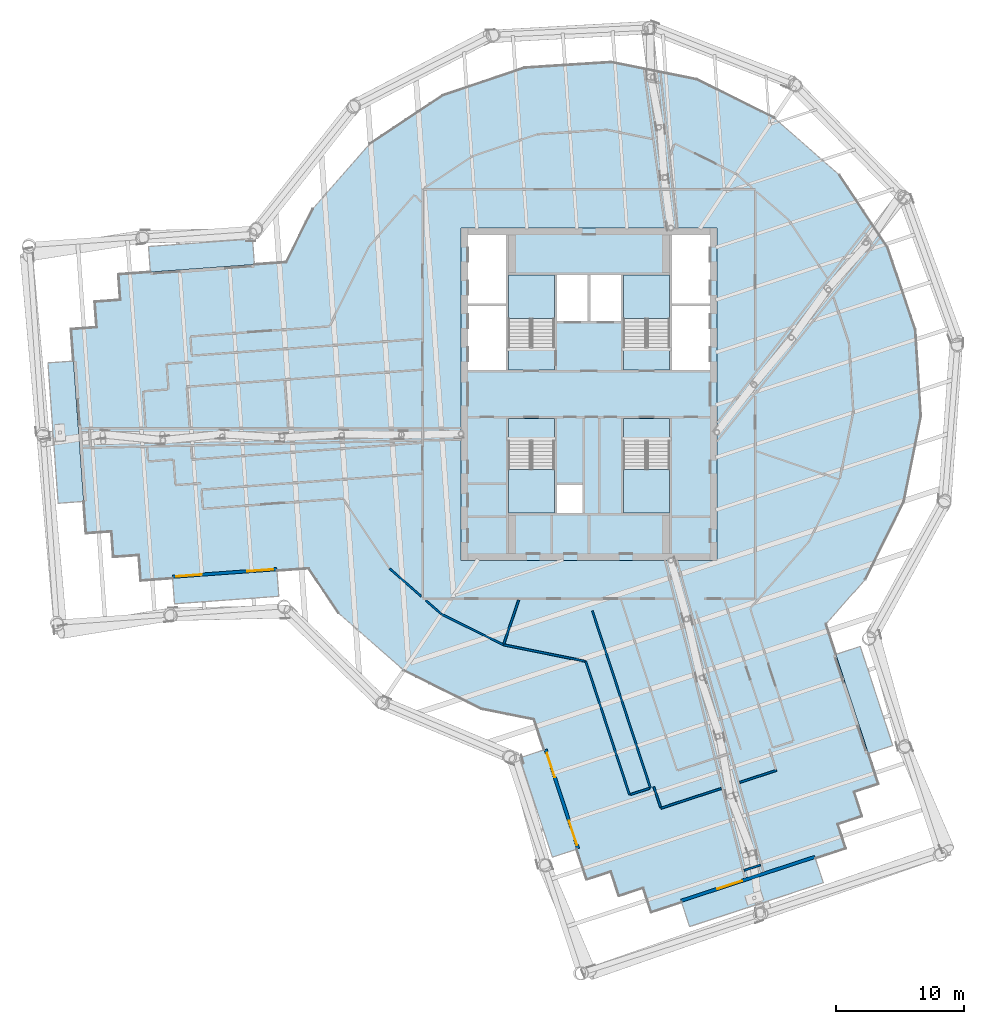
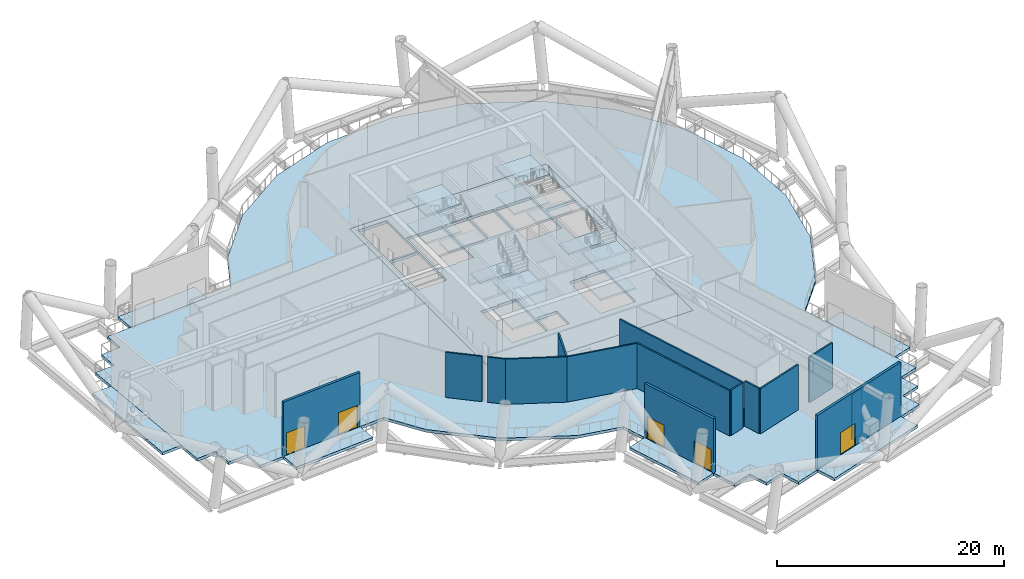
# One storey, part 9 of 33: 20 slabs, 15 walls, 5 doors, 5 openings, 4 elements without a shape of their own.
"""IFC4 building model written with IfcOpenShell, lengths in metres."""

from ifc_helpers import new_model, si_unit, direction, frame, frame_2d, origin, place, context, subcontext, project, spatial, polyline, rectangle, outline, extrude, material, layer, layer_set, type_object, element, fill, aggregate, save


model = new_model("IFC4")

# Units and contexts
model_context = context("Model", 3, precision=1e-05, world=origin(), true_north=direction((0.0, 1.0)))
body_context = subcontext(model_context, "Body", "Model", "MODEL_VIEW")
ifc_project = project(units=[si_unit("LENGTHUNIT", "METRE"), si_unit("AREAUNIT", "SQUARE_METRE"), si_unit("VOLUMEUNIT", "CUBIC_METRE"), si_unit("PLANEANGLEUNIT", "RADIAN"), si_unit("MASSUNIT", "GRAM", prefix="KILO")], contexts=[model_context])

# Site, building, storey
site_placement = place(None, origin())
site = spatial("IfcSite", under=ifc_project, at=site_placement, CompositionType="ELEMENT")
building_placement = place(site_placement, origin())
building = spatial("IfcBuilding", under=site, at=building_placement, Name="Tarsis Ring Headquarters", CompositionType="ELEMENT")
storey_placement = place(building_placement, frame((0.0, 0.0, 302.0)))
storey = spatial("IfcBuildingStorey", under=building, at=storey_placement, Name="L71", CompositionType="ELEMENT", Elevation=302.0)

# Slabs
ifc_material_1 = material(Name="Concrete C40/50", Category="concrete")
ifc_layer_1 = layer(ifc_material_1, 0.159912109375)
ifc_layer_set_1 = layer_set([ifc_layer_1], Name="Balcony slab concrete C40/50")
slab_type_1 = type_object("IfcSlabType", Name="Balcony slab concrete C40/50", PredefinedType="FLOOR", material=ifc_layer_set_1)
slab_1_placement = place(storey_placement, frame((0.0, 0.0, -0.300048828125)))
element("IfcSlab", 1, at=slab_1_placement, inside=storey, type_object=slab_type_1, Name="Balcony slab L71-01", PredefinedType="FLOOR", context=body_context, shape_type="SweptSolid", body=[
    extrude(outline(polyline([(-32.541259765625, -14.3984375), (-32.396240234375, -16.393310546875), (-24.24560546875, -15.800537109375), (-24.390869140625, -13.8056640625), (-32.541259765625, -14.3984375)])), origin(), (0.0, 0.0, 1.0), 0.300048828125),
])
slab_2_placement = place(storey_placement, frame((0.0, 0.0, -0.300048828125)))
element("IfcSlab", 2, at=slab_2_placement, inside=storey, type_object=slab_type_1, Name="Balcony slab L71-06", PredefinedType="FLOOR", context=body_context, shape_type="SweptSolid", body=[
    extrude(outline(polyline([(-3.50830078125, -27.806396484375), (-5.40869140625, -28.429931640625), (-2.861572265625, -36.19482421875), (-0.961181640625, -35.571533203125), (-3.50830078125, -27.806396484375)])), origin(), (0.0, 0.0, 1.0), 0.300048828125),
])
slab_3_placement = place(storey_placement, frame((0.0, 0.0, -0.300048828125)))
element("IfcSlab", 3, at=slab_3_placement, inside=storey, type_object=slab_type_1, Name="Balcony slab L71-11", PredefinedType="FLOOR", context=body_context, shape_type="SweptSolid", body=[
    extrude(outline(polyline([(7.24072265625, -39.7216796875), (7.8642578125, -41.6220703125), (18.316162109375, -38.19384765625), (17.69287109375, -36.29345703125), (7.24072265625, -39.7216796875)])), origin(), (0.0, 0.0, 1.0), 0.300048828125),
])
slab_4_placement = place(storey_placement, frame((0.0, 0.0, -0.300048828125)))
element("IfcSlab", 4, at=slab_4_placement, inside=storey, type_object=slab_type_1, Name="Balcony slab L71-16", PredefinedType="FLOOR", context=body_context, shape_type="SweptSolid", body=[
    extrude(outline(polyline([(21.84326171875, -28.09130859375), (23.74365234375, -27.468017578125), (21.203125, -19.72265625), (19.302734375, -20.345947265625), (21.84326171875, -28.09130859375)])), origin(), (0.0, 0.0, 1.0), 0.300048828125),
])
slab_5_placement = place(storey_placement, frame((0.0, 0.0, -0.300048828125)))
element("IfcSlab", 5, at=slab_5_placement, inside=storey, type_object=slab_type_1, Name="Balcony slab L71-31", PredefinedType="FLOOR", context=body_context, shape_type="SweptSolid", body=[
    extrude(outline(polyline([(-26.15234375, 10.129638671875), (-26.297607421875, 12.124267578125), (-34.42724609375, 11.532958984375), (-34.2822265625, 9.538330078125), (-26.15234375, 10.129638671875)])), origin(), (0.0, 0.0, 1.0), 0.300048828125),
])
slab_6_placement = place(storey_placement, frame((0.0, 0.0, -0.300048828125)))
element("IfcSlab", 6, at=slab_6_placement, inside=storey, type_object=slab_type_1, Name="Balcony slab L71-36", PredefinedType="FLOOR", context=body_context, shape_type="SweptSolid", body=[
    extrude(outline(polyline([(-40.293701171875, 2.583740234375), (-42.288330078125, 2.438720703125), (-41.490478515625, -8.5322265625), (-39.49560546875, -8.38720703125), (-40.293701171875, 2.583740234375)])), origin(), (0.0, 0.0, 1.0), 0.300048828125),
])
ifc_layer_2 = layer(ifc_material_1, 0.300048828125)
ifc_layer_set_2 = layer_set([ifc_layer_2], Name="Core floor slab 300 C40/50")
slab_type_2 = type_object("IfcSlabType", Name="Core floor slab 300 C40/50", PredefinedType="FLOOR", material=ifc_layer_set_2)
slab_7_placement = place(storey_placement, frame((0.0, 0.0, -0.300048828125)))
element("IfcSlab", 7, at=slab_7_placement, inside=storey, type_object=slab_type_2, Name="L71 core floor slab", PredefinedType="FLOOR", context=body_context, shape_type="SweptSolid", body=[
    extrude(outline(polyline([(-10.0, -13.0), (10.0, -13.0), (10.0, 13.0), (-10.0, 13.0), (-10.0, -13.0)]), holes=[polyline([(-2.5, 5.699951171875), (-0.10009765625, 5.699951171875), (-0.10009765625, 9.300048828125), (-2.5, 9.300048828125), (-2.5, 5.699951171875)]), polyline([(0.10009765625, 5.699951171875), (2.5, 5.699951171875), (2.5, 9.300048828125), (0.10009765625, 9.300048828125), (0.10009765625, 5.699951171875)]), polyline([(-9.449951171875, 1.89990234375), (-6.5, 1.89990234375), (-6.5, 6.89990234375), (-9.449951171875, 6.89990234375), (-9.449951171875, 1.89990234375)]), polyline([(-9.449951171875, 7.10009765625), (-6.5, 7.10009765625), (-6.5, 12.449951171875), (-9.449951171875, 12.449951171875), (-9.449951171875, 7.10009765625)]), polyline([(6.5, 1.89990234375), (9.449951171875, 1.89990234375), (9.449951171875, 6.89990234375), (6.5, 6.89990234375), (6.5, 1.89990234375)]), polyline([(6.5, 7.10009765625), (9.449951171875, 7.10009765625), (9.449951171875, 12.449951171875), (6.5, 12.449951171875), (6.5, 7.10009765625)]), polyline([(-2.5, -9.300048828125), (-0.5, -9.300048828125), (-0.5, -7.10009765625), (-2.5, -7.10009765625), (-2.5, -9.300048828125)]), polyline([(-2.699951171875, 3.760009765625), (-2.699951171875, 9.300048828125), (-6.300048828125, 9.300048828125), (-6.300048828125, 3.659912109375), (-4.4599609375, 3.659912109375), (-4.4599609375, 3.760009765625), (-2.699951171875, 3.760009765625)]), polyline([(6.300048828125, 3.760009765625), (6.300048828125, 9.300048828125), (2.699951171875, 9.300048828125), (2.699951171875, 3.659912109375), (4.5400390625, 3.659912109375), (4.5400390625, 3.760009765625), (6.300048828125, 3.760009765625)]), polyline([(-6.300048828125, -3.760009765625), (-6.300048828125, -9.300048828125), (-2.699951171875, -9.300048828125), (-2.699951171875, -3.659912109375), (-4.5400390625, -3.659912109375), (-4.5400390625, -3.760009765625), (-6.300048828125, -3.760009765625)]), polyline([(2.699951171875, -3.760009765625), (2.699951171875, -9.300048828125), (6.300048828125, -9.300048828125), (6.300048828125, -3.659912109375), (4.4599609375, -3.659912109375), (4.4599609375, -3.760009765625), (2.699951171875, -3.760009765625)])]), origin(), (0.0, 0.0, 1.0), 0.300048828125),
])

# Stair, slabs
ifc_material_2 = material(Name="Core stair 1760")
stair_type = type_object("IfcStairType", Name="Core stair 1760", PredefinedType="HALF_TURN_STAIR", material=ifc_material_2)
stair_1_placement = place(storey_placement, origin())
stair_1 = element("IfcStair", 8, at=stair_1_placement, inside=storey, type_object=stair_type, Name="L71 Firefighting stair", PredefinedType="HALF_TURN_STAIR")
ifc_layer_3 = layer(ifc_material_1, 0.199951171875)
ifc_layer_set_3 = layer_set([ifc_layer_3], Name="Core stair landing 200")
slab_type_3 = type_object("IfcSlabType", Name="Core stair landing 200", PredefinedType="LANDING", material=ifc_layer_set_3)
slab_8_placement = place(storey_placement, frame((0.0, 0.0, 1.300048828125)))
slab_8 = element("IfcSlab", 9, at=slab_8_placement, type_object=slab_type_3, Name="Stair ST1 landing 1", PredefinedType="LANDING", context=body_context, shape_type="SweptSolid", body=[
    extrude(outline(polyline([(-2.699951171875, 5.89990234375), (-2.699951171875, 9.300048828125), (-6.300048828125, 9.300048828125), (-6.300048828125, 5.89990234375), (-2.699951171875, 5.89990234375)])), origin(), (0.0, 0.0, 1.0), 0.199951171875),
])
slab_9_placement = place(storey_placement, frame((0.0, 0.0, 2.800048828125)))
slab_9 = element("IfcSlab", 10, at=slab_9_placement, type_object=slab_type_3, Name="Stair ST1 landing 2", PredefinedType="LANDING", context=body_context, shape_type="SweptSolid", body=[
    extrude(outline(polyline([(-2.699951171875, 1.89990234375), (-2.699951171875, 3.659912109375), (-6.300048828125, 3.659912109375), (-6.300048828125, 1.89990234375), (-2.699951171875, 1.89990234375)])), origin(), (0.0, 0.0, 1.0), 0.199951171875),
])
slab_10_placement = place(storey_placement, frame((0.0, 0.0, 4.300048828125)))
slab_10 = element("IfcSlab", 11, at=slab_10_placement, type_object=slab_type_3, Name="Stair ST1 landing 3", PredefinedType="LANDING", context=body_context, shape_type="SweptSolid", body=[
    extrude(outline(polyline([(-2.699951171875, 5.89990234375), (-2.699951171875, 9.300048828125), (-6.300048828125, 9.300048828125), (-6.300048828125, 5.89990234375), (-2.699951171875, 5.89990234375)])), origin(), (0.0, 0.0, 1.0), 0.199951171875),
])
aggregate(stair_1, [slab_8, slab_9, slab_10])

stair_2_placement = place(storey_placement, origin())
stair_2 = element("IfcStair", 12, at=stair_2_placement, inside=storey, type_object=stair_type, Name="L71 Exit stair B", PredefinedType="HALF_TURN_STAIR")
slab_11_placement = place(storey_placement, frame((0.0, 0.0, 1.300048828125)))
slab_11 = element("IfcSlab", 13, at=slab_11_placement, type_object=slab_type_3, Name="Stair ST2 landing 1", PredefinedType="LANDING", context=body_context, shape_type="SweptSolid", body=[
    extrude(outline(polyline([(6.300048828125, 5.89990234375), (6.300048828125, 9.300048828125), (2.699951171875, 9.300048828125), (2.699951171875, 5.89990234375), (6.300048828125, 5.89990234375)])), origin(), (0.0, 0.0, 1.0), 0.199951171875),
])
slab_12_placement = place(storey_placement, frame((0.0, 0.0, 2.800048828125)))
slab_12 = element("IfcSlab", 14, at=slab_12_placement, type_object=slab_type_3, Name="Stair ST2 landing 2", PredefinedType="LANDING", context=body_context, shape_type="SweptSolid", body=[
    extrude(outline(polyline([(6.300048828125, 1.89990234375), (6.300048828125, 3.659912109375), (2.699951171875, 3.659912109375), (2.699951171875, 1.89990234375), (6.300048828125, 1.89990234375)])), origin(), (0.0, 0.0, 1.0), 0.199951171875),
])
slab_13_placement = place(storey_placement, frame((0.0, 0.0, 4.300048828125)))
slab_13 = element("IfcSlab", 15, at=slab_13_placement, type_object=slab_type_3, Name="Stair ST2 landing 3", PredefinedType="LANDING", context=body_context, shape_type="SweptSolid", body=[
    extrude(outline(polyline([(6.300048828125, 5.89990234375), (6.300048828125, 9.300048828125), (2.699951171875, 9.300048828125), (2.699951171875, 5.89990234375), (6.300048828125, 5.89990234375)])), origin(), (0.0, 0.0, 1.0), 0.199951171875),
])
aggregate(stair_2, [slab_11, slab_12, slab_13])

stair_3_placement = place(storey_placement, origin())
stair_3 = element("IfcStair", 16, at=stair_3_placement, inside=storey, type_object=stair_type, Name="L71 Exit stair C", PredefinedType="HALF_TURN_STAIR")
slab_14_placement = place(storey_placement, frame((0.0, 0.0, 1.300048828125)))
slab_14 = element("IfcSlab", 17, at=slab_14_placement, type_object=slab_type_3, Name="Stair ST3 landing 1", PredefinedType="LANDING", context=body_context, shape_type="SweptSolid", body=[
    extrude(outline(polyline([(-6.300048828125, -5.89990234375), (-6.300048828125, -9.300048828125), (-2.699951171875, -9.300048828125), (-2.699951171875, -5.89990234375), (-6.300048828125, -5.89990234375)])), origin(), (0.0, 0.0, 1.0), 0.199951171875),
])
slab_15_placement = place(storey_placement, frame((0.0, 0.0, 2.800048828125)))
slab_15 = element("IfcSlab", 18, at=slab_15_placement, type_object=slab_type_3, Name="Stair ST3 landing 2", PredefinedType="LANDING", context=body_context, shape_type="SweptSolid", body=[
    extrude(outline(polyline([(-6.300048828125, -1.89990234375), (-6.300048828125, -3.659912109375), (-2.699951171875, -3.659912109375), (-2.699951171875, -1.89990234375), (-6.300048828125, -1.89990234375)])), origin(), (0.0, 0.0, 1.0), 0.199951171875),
])
slab_16_placement = place(storey_placement, frame((0.0, 0.0, 4.300048828125)))
slab_16 = element("IfcSlab", 19, at=slab_16_placement, type_object=slab_type_3, Name="Stair ST3 landing 3", PredefinedType="LANDING", context=body_context, shape_type="SweptSolid", body=[
    extrude(outline(polyline([(-6.300048828125, -5.89990234375), (-6.300048828125, -9.300048828125), (-2.699951171875, -9.300048828125), (-2.699951171875, -5.89990234375), (-6.300048828125, -5.89990234375)])), origin(), (0.0, 0.0, 1.0), 0.199951171875),
])
aggregate(stair_3, [slab_14, slab_15, slab_16])

stair_4_placement = place(storey_placement, origin())
stair_4 = element("IfcStair", 20, at=stair_4_placement, inside=storey, type_object=stair_type, Name="L71 Exit stair D", PredefinedType="HALF_TURN_STAIR")
slab_17_placement = place(storey_placement, frame((0.0, 0.0, 1.300048828125)))
slab_17 = element("IfcSlab", 21, at=slab_17_placement, type_object=slab_type_3, Name="Stair ST4 landing 1", PredefinedType="LANDING", context=body_context, shape_type="SweptSolid", body=[
    extrude(outline(polyline([(2.699951171875, -5.89990234375), (2.699951171875, -9.300048828125), (6.300048828125, -9.300048828125), (6.300048828125, -5.89990234375), (2.699951171875, -5.89990234375)])), origin(), (0.0, 0.0, 1.0), 0.199951171875),
])
slab_18_placement = place(storey_placement, frame((0.0, 0.0, 2.800048828125)))
slab_18 = element("IfcSlab", 22, at=slab_18_placement, type_object=slab_type_3, Name="Stair ST4 landing 2", PredefinedType="LANDING", context=body_context, shape_type="SweptSolid", body=[
    extrude(outline(polyline([(2.699951171875, -1.89990234375), (2.699951171875, -3.659912109375), (6.300048828125, -3.659912109375), (6.300048828125, -1.89990234375), (2.699951171875, -1.89990234375)])), origin(), (0.0, 0.0, 1.0), 0.199951171875),
])
slab_19_placement = place(storey_placement, frame((0.0, 0.0, 4.300048828125)))
slab_19 = element("IfcSlab", 23, at=slab_19_placement, type_object=slab_type_3, Name="Stair ST4 landing 3", PredefinedType="LANDING", context=body_context, shape_type="SweptSolid", body=[
    extrude(outline(polyline([(2.699951171875, -5.89990234375), (2.699951171875, -9.300048828125), (6.300048828125, -9.300048828125), (6.300048828125, -5.89990234375), (2.699951171875, -5.89990234375)])), origin(), (0.0, 0.0, 1.0), 0.199951171875),
])
aggregate(stair_4, [slab_17, slab_18, slab_19])

# Slab
ifc_material_3 = material(Name="Concrete C35/45", Category="concrete")
ifc_layer_4 = layer(ifc_material_3, 0.300048828125)
ifc_layer_set_4 = layer_set([ifc_layer_4], Name="FS Composite floor slab 300")
slab_type_4 = type_object("IfcSlabType", Name="FS Composite floor slab 300", PredefinedType="FLOOR", material=ifc_layer_set_4)
slab_20_placement = place(storey_placement, frame((0.0, 0.0, -0.300048828125)))
element("IfcSlab", 24, at=slab_20_placement, inside=storey, type_object=slab_type_4, Name="Floor slab L71", PredefinedType="FLOOR", context=body_context, shape_type="SweptSolid", body=[
    extrude(outline(polyline([(-21.8974609375, -13.624267578125), (-19.57470703125, -17.1123046875), (-14.478759765625, -21.595458984375), (-8.39599609375, -24.60693359375), (-4.287353515625, -25.430908203125), (-0.18212890625, -37.94677734375), (1.71826171875, -37.323486328125), (2.341552734375, -39.223876953125), (4.241943359375, -38.6005859375), (4.865234375, -40.5009765625), (20.068359375, -35.51416015625), (19.445068359375, -33.61376953125), (21.345458984375, -32.990478515625), (20.72216796875, -31.090087890625), (22.62255859375, -30.466796875), (18.523681640625, -17.970458984375), (21.595458984375, -14.478759765625), (24.60693359375, -8.39599609375), (25.941650390625, -1.7412109375), (25.50830078125, 5.0322265625), (23.336669921875, 11.462890625), (19.57470703125, 17.1123046875), (14.478759765625, 21.595458984375), (8.39599609375, 24.60693359375), (1.7412109375, 25.941650390625), (-5.0322265625, 25.50830078125), (-11.462890625, 23.336669921875), (-17.1123046875, 19.57470703125), (-21.595458984375, 14.478759765625), (-23.658935546875, 10.310791015625), (-36.775634765625, 9.35693359375), (-36.630615234375, 7.362060546875), (-38.625244140625, 7.217041015625), (-38.480224609375, 5.222412109375), (-40.474853515625, 5.0771484375), (-39.314208984375, -10.880615234375), (-37.319580078125, -10.735595703125), (-37.174560546875, -12.730224609375), (-35.1796875, -12.585205078125), (-35.03466796875, -14.579833984375), (-21.8974609375, -13.624267578125)]), holes=[polyline([(-10.0, -13.0), (-10.0, 13.0), (10.0, 13.0), (10.0, -13.0), (-10.0, -13.0)])]), origin(), (0.0, 0.0, 1.0), 0.300048828125),
])

# Walls
ifc_material_4 = material(Name="Gypsum board on steel studs", Category="steel")
ifc_layer_5 = layer(ifc_material_4, 0.14990234375)
ifc_layer_set_5 = layer_set([ifc_layer_5], Name="FL partition 150 EI 120 H4870")
wall_type_1 = type_object("IfcWallType", Name="FL partition 150 EI 120 H4870", PredefinedType="PARTITIONING", material=ifc_layer_set_5)
wall_1_placement = place(storey_placement, frame((0.26123046875, -16.93505859375, 0.0), z_axis=(0.0, 0.0, 1.0), x_axis=(0.311671896799, -0.950189785646, 0.0)))
element("IfcWall", 25, at=wall_1_placement, inside=storey, type_object=wall_type_1, Name="Partition PW2H487", PredefinedType="PARTITIONING", context=body_context, shape_type="SweptSolid", body=[
    extrude(rectangle(XDim=14.576904296875, YDim=0.14990234375, at=frame_2d((7.28857421875, 0.0))), origin(), (0.0, 0.0, 1.0), 4.8701171875),
])
wall_2_placement = place(storey_placement, frame((-0.2529296875, -20.885498046875, 0.0), z_axis=(0.0, 0.0, 1.0), x_axis=(0.311676351742, -0.950188324368, 0.0)))
element("IfcWall", 26, at=wall_2_placement, inside=storey, type_object=wall_type_1, Name="Partition PW2H487", PredefinedType="PARTITIONING", context=body_context, shape_type="SweptSolid", body=[
    extrude(rectangle(XDim=10.983642578125, YDim=0.14990234375, at=frame_2d((5.49169921875, 0.0))), origin(), (0.0, 0.0, 1.0), 4.8701171875),
])
wall_3_placement = place(storey_placement, frame((-6.6865234375, -19.597900390625, 0.0), z_axis=(0.0, 0.0, 1.0), x_axis=(0.980475088197, -0.196643335573, 0.0)))
element("IfcWall", 27, at=wall_3_placement, inside=storey, type_object=wall_type_1, Name="Partition PW2H487", PredefinedType="PARTITIONING", context=body_context, shape_type="SweptSolid", body=[
    extrude(rectangle(XDim=6.500732421875, YDim=0.14990234375, at=frame_2d((3.25048828125, 0.0))), origin(), (0.0, 0.0, 1.0), 4.8701171875),
])
wall_4_placement = place(storey_placement, frame((-11.531005859375, -17.199462890625, 0.0), z_axis=(0.0, 0.0, 1.0), x_axis=(0.896176085972, -0.443698572155, 0.0)))
element("IfcWall", 28, at=wall_4_placement, inside=storey, type_object=wall_type_1, Name="Partition PW2H487", PredefinedType="PARTITIONING", context=body_context, shape_type="SweptSolid", body=[
    extrude(rectangle(XDim=5.39501953125, YDim=0.14990234375, at=frame_2d((2.697509765625, 0.0))), origin(), (0.0, 0.0, 1.0), 4.8701171875),
])
wall_5_placement = place(storey_placement, frame((5.619140625, -32.37109375, 0.0), z_axis=(0.0, 0.0, 1.0), x_axis=(0.950184269509, 0.311688713265, 0.0)))
element("IfcWall", 29, at=wall_5_placement, inside=storey, type_object=wall_type_1, Name="Partition PW2H487", PredefinedType="PARTITIONING", context=body_context, shape_type="SweptSolid", body=[
    extrude(rectangle(XDim=4.973876953125, YDim=0.14990234375, at=frame_2d((2.48681640625, 0.0))), origin(), (0.0, 0.0, 1.0), 4.8701171875),
])
wall_6_placement = place(storey_placement, frame((-6.660400390625, -19.519775390625, 0.0), z_axis=(0.0, 0.0, 1.0), x_axis=(0.322918399241, 0.946426810393, 0.0)))
element("IfcWall", 30, at=wall_6_placement, inside=storey, type_object=wall_type_1, Name="Partition PW2H487", PredefinedType="PARTITIONING", context=body_context, shape_type="SweptSolid", body=[
    extrude(rectangle(XDim=3.619140625, YDim=0.14990234375, at=frame_2d((1.8095703125, 0.0))), origin(), (0.0, 0.0, 1.0), 4.8701171875),
])
wall_7_placement = place(storey_placement, frame((-15.58203125, -13.635498046875, 0.0), z_axis=(0.0, 0.0, 1.0), x_axis=(0.750788659435, -0.66054249588, 0.0)))
element("IfcWall", 31, at=wall_7_placement, inside=storey, type_object=wall_type_1, Name="Partition PW2H487", PredefinedType="PARTITIONING", context=body_context, shape_type="SweptSolid", body=[
    extrude(rectangle(XDim=3.286865234375, YDim=0.14990234375, at=frame_2d((1.6435546875, 0.0))), origin(), (0.0, 0.0, 1.0), 4.8701171875),
])
wall_8_placement = place(storey_placement, frame((11.7724609375, -30.352783203125, 0.0), z_axis=(0.0, 0.0, 1.0), x_axis=(0.950198189451, 0.311646275068, 0.0)))
element("IfcWall", 32, at=wall_8_placement, inside=storey, type_object=wall_type_1, Name="Partition PW2H487", PredefinedType="PARTITIONING", context=body_context, shape_type="SweptSolid", body=[
    extrude(rectangle(XDim=3.02392578125, YDim=0.14990234375, at=frame_2d((1.511962890625, 0.0))), origin(), (0.0, 0.0, 1.0), 4.8701171875),
])
wall_9_placement = place(storey_placement, frame((3.24609375, -31.297119140625, 0.0), z_axis=(0.0, 0.0, 1.0), x_axis=(0.950205990662, 0.311622488455, 0.0)))
element("IfcWall", 33, at=wall_9_placement, inside=storey, type_object=wall_type_1, Name="Partition PW2H487", PredefinedType="PARTITIONING", context=body_context, shape_type="SweptSolid", body=[
    extrude(rectangle(XDim=1.559814453125, YDim=0.14990234375, at=frame_2d((0.77978515625, 0.0))), origin(), (0.0, 0.0, 1.0), 4.8701171875),
])
wall_10_placement = place(storey_placement, frame((-12.75732421875, -16.12060546875, 0.0), z_axis=(0.0, 0.0, 1.0), x_axis=(0.750776154642, -0.660556708861, 0.0)))
element("IfcWall", 34, at=wall_10_placement, inside=storey, type_object=wall_type_1, Name="Partition PW2H487", PredefinedType="PARTITIONING", context=body_context, shape_type="SweptSolid", body=[
    extrude(rectangle(XDim=1.62353515625, YDim=0.14990234375, at=frame_2d((0.811767578125, 0.0))), origin(), (0.0, 0.0, 1.0), 4.8701171875),
])
wall_11_placement = place(storey_placement, frame((5.072509765625, -30.6982421875, 0.0), z_axis=(0.0, 0.0, 1.0), x_axis=(0.311690475341, -0.950183691494, 0.0)))
element("IfcWall", 35, at=wall_11_placement, inside=storey, type_object=wall_type_1, Name="Partition PW2H487", PredefinedType="PARTITIONING", context=body_context, shape_type="SweptSolid", body=[
    extrude(rectangle(XDim=1.68017578125, YDim=0.14990234375, at=frame_2d((0.840087890625, 0.0))), origin(), (0.0, 0.0, 1.0), 4.8701171875),
])
wall_12_placement = place(storey_placement, frame((12.123779296875, -37.2255859375, 0.0), z_axis=(0.0, 0.0, 1.0), x_axis=(0.95016998836, 0.311732246039, 0.0)))
element("IfcWall", 36, at=wall_12_placement, inside=storey, type_object=wall_type_1, Name="Partition PW2H487", PredefinedType="PARTITIONING", context=body_context, shape_type="SweptSolid", body=[
    extrude(rectangle(XDim=1.353271484375, YDim=0.14990234375, at=frame_2d((0.6767578125, 0.0))), origin(), (0.0, 0.0, 1.0), 4.8701171875),
])

# Wall, openings, doors
ifc_material_5 = material(Name="Terracotta clad insulated panel wall", Category="masonry")
ifc_layer_6 = layer(ifc_material_5, 0.25)
ifc_layer_set_6 = layer_set([ifc_layer_6], Name="Facade wall terracotta panel 250")
wall_type_2 = type_object("IfcWallType", Name="Facade wall terracotta panel 250", PredefinedType="STANDARD", material=ifc_layer_set_6)
wall_13_placement = place(storey_placement, frame((-32.55029296875, -14.27392578125, 0.0), z_axis=(0.0, 0.0, 1.0), x_axis=(0.997365659768, 0.072537857115, 0.0)))
wall_13 = element("IfcWall", 37, at=wall_13_placement, inside=storey, type_object=wall_type_2, Name="External wall L71-01", PredefinedType="STANDARD", context=body_context, shape_type="SweptSolid", body=[
    extrude(rectangle(XDim=8.171875, YDim=0.25, at=frame_2d((4.0859375, 0.0))), origin(), (0.0, 0.0, 1.0), 5.840087890625),
])
opening_1_placement = place(wall_13_placement, frame((0.300048828125, 0.0, 0.0)))
opening_1 = element("IfcOpeningElement", 38, at=opening_1_placement, cuts=wall_13, Name="Opening L71-BD01", PredefinedType="OPENING", context=body_context, shape_type="SweptSolid", body=[
    extrude(rectangle(XDim=2.0, YDim=2.39990234375, at=frame_2d((1.0, 1.199951171875))), frame((0.0, 0.135009765625, 0.0), z_axis=(0.0, -1.0, 0.0), x_axis=(1.0, 0.0, 0.0)), (0.0, 0.0, 1.0), 0.27001953125),
])
opening_2_placement = place(wall_13_placement, frame((5.8720703125, 0.0, 0.0)))
opening_2 = element("IfcOpeningElement", 39, at=opening_2_placement, cuts=wall_13, Name="Opening L71-BD02", PredefinedType="OPENING", context=body_context, shape_type="SweptSolid", body=[
    extrude(rectangle(XDim=2.0, YDim=2.39990234375, at=frame_2d((1.0, 1.199951171875))), frame((0.0, 0.135009765625, 0.0), z_axis=(0.0, -1.0, 0.0), x_axis=(1.0, 0.0, 0.0)), (0.0, 0.0, 1.0), 0.27001953125),
])
ifc_material_6 = material(Name="Aluminium framed double glazing", Category="aluminium")
door_type = type_object("IfcDoorType", Name="Balcony sliding door 2000 x 2400", OperationType="SLIDING_TO_LEFT", PredefinedType="DOOR", material=ifc_material_6)
door_1_placement = place(opening_1_placement, origin())
door_1 = element("IfcDoor", 40, at=door_1_placement, inside=storey, type_object=door_type, Name="Door L71-BD01", OperationType="SINGLE_SWING_LEFT", OverallHeight=2.39990234375, OverallWidth=2.0, PredefinedType="DOOR", context=body_context, shape_type="SweptSolid", body=[
    extrude(rectangle(XDim=2.0, YDim=2.39990234375, at=frame_2d((1.0, 1.199951171875))), frame((0.0, 0.02490234375, 0.0), z_axis=(0.0, -1.0, 0.0), x_axis=(1.0, 0.0, 0.0)), (0.0, 0.0, 1.0), 0.050048828125),
])
fill(opening_1, door_1)
door_2_placement = place(opening_2_placement, origin())
door_2 = element("IfcDoor", 41, at=door_2_placement, inside=storey, type_object=door_type, Name="Door L71-BD02", OperationType="SINGLE_SWING_LEFT", OverallHeight=2.39990234375, OverallWidth=2.0, PredefinedType="DOOR", context=body_context, shape_type="SweptSolid", body=[
    extrude(rectangle(XDim=2.0, YDim=2.39990234375, at=frame_2d((1.0, 1.199951171875))), frame((0.0, 0.02490234375, 0.0), z_axis=(0.0, -1.0, 0.0), x_axis=(1.0, 0.0, 0.0)), (0.0, 0.0, 1.0), 0.050048828125),
])
fill(opening_2, door_2)

wall_14_placement = place(storey_placement, frame((-3.389404296875, -27.767578125, 0.0), z_axis=(0.0, 0.0, 1.0), x_axis=(0.31166210782, -0.950192996474, 0.0)))
wall_14 = element("IfcWall", 42, at=wall_14_placement, inside=storey, type_object=wall_type_2, Name="External wall L71-02", PredefinedType="STANDARD", context=body_context, shape_type="SweptSolid", body=[
    extrude(rectangle(XDim=8.171875, YDim=0.25, at=frame_2d((4.0859375, 0.0))), origin(), (0.0, 0.0, 1.0), 5.840087890625),
])
opening_3_placement = place(wall_14_placement, frame((0.300048828125, 0.0, 0.0)))
opening_3 = element("IfcOpeningElement", 43, at=opening_3_placement, cuts=wall_14, Name="Opening L71-BD03", PredefinedType="OPENING", context=body_context, shape_type="SweptSolid", body=[
    extrude(rectangle(XDim=2.0, YDim=2.39990234375, at=frame_2d((1.0, 1.199951171875))), frame((0.0, 0.135009765625, 0.0), z_axis=(0.0, -1.0, 0.0), x_axis=(1.0, 0.0, 0.0)), (0.0, 0.0, 1.0), 0.27001953125),
])
opening_4_placement = place(wall_14_placement, frame((5.8720703125, 0.0, 0.0)))
opening_4 = element("IfcOpeningElement", 44, at=opening_4_placement, cuts=wall_14, Name="Opening L71-BD04", PredefinedType="OPENING", context=body_context, shape_type="SweptSolid", body=[
    extrude(rectangle(XDim=2.0, YDim=2.39990234375, at=frame_2d((1.0, 1.199951171875))), frame((0.0, 0.135009765625, 0.0), z_axis=(0.0, -1.0, 0.0), x_axis=(1.0, 0.0, 0.0)), (0.0, 0.0, 1.0), 0.27001953125),
])
door_3_placement = place(opening_3_placement, origin())
door_3 = element("IfcDoor", 45, at=door_3_placement, inside=storey, type_object=door_type, Name="Door L71-BD03", OperationType="SINGLE_SWING_LEFT", OverallHeight=2.39990234375, OverallWidth=2.0, PredefinedType="DOOR", context=body_context, shape_type="SweptSolid", body=[
    extrude(rectangle(XDim=2.0, YDim=2.39990234375, at=frame_2d((1.0, 1.199951171875))), frame((0.0, 0.02490234375, 0.0), z_axis=(0.0, -1.0, 0.0), x_axis=(1.0, 0.0, 0.0)), (0.0, 0.0, 1.0), 0.050048828125),
])
fill(opening_3, door_3)
door_4_placement = place(opening_4_placement, origin())
door_4 = element("IfcDoor", 46, at=door_4_placement, inside=storey, type_object=door_type, Name="Door L71-BD04", OperationType="SINGLE_SWING_LEFT", OverallHeight=2.39990234375, OverallWidth=2.0, PredefinedType="DOOR", context=body_context, shape_type="SweptSolid", body=[
    extrude(rectangle(XDim=2.0, YDim=2.39990234375, at=frame_2d((1.0, 1.199951171875))), frame((0.0, 0.02490234375, 0.0), z_axis=(0.0, -1.0, 0.0), x_axis=(1.0, 0.0, 0.0)), (0.0, 0.0, 1.0), 0.050048828125),
])
fill(opening_4, door_4)

# Wall, opening, door
wall_15_placement = place(storey_placement, frame((7.201904296875, -39.60302734375, 0.0), z_axis=(0.0, 0.0, 1.0), x_axis=(0.95018827824, 0.311676492369, 0.0)))
wall_15 = element("IfcWall", 47, at=wall_15_placement, inside=storey, type_object=wall_type_2, Name="External wall L71-03", PredefinedType="STANDARD", context=body_context, shape_type="SweptSolid", body=[
    extrude(rectangle(XDim=11.0, YDim=0.25, at=frame_2d((5.5, 0.0))), origin(), (0.0, 0.0, 1.0), 5.840087890625),
])
opening_5_placement = place(wall_15_placement, frame((3.0, 0.0, 0.0)))
opening_5 = element("IfcOpeningElement", 48, at=opening_5_placement, cuts=wall_15, Name="Opening L71-BD05", PredefinedType="OPENING", context=body_context, shape_type="SweptSolid", body=[
    extrude(rectangle(XDim=2.0, YDim=2.39990234375, at=frame_2d((1.0, 1.199951171875))), frame((0.0, 0.135009765625, 0.0), z_axis=(0.0, -1.0, 0.0), x_axis=(1.0, 0.0, 0.0)), (0.0, 0.0, 1.0), 0.27001953125),
])
door_5_placement = place(opening_5_placement, origin())
door_5 = element("IfcDoor", 49, at=door_5_placement, inside=storey, type_object=door_type, Name="Door L71-BD05", OperationType="SINGLE_SWING_LEFT", OverallHeight=2.39990234375, OverallWidth=2.0, PredefinedType="DOOR", context=body_context, shape_type="SweptSolid", body=[
    extrude(rectangle(XDim=2.0, YDim=2.39990234375, at=frame_2d((1.0, 1.199951171875))), frame((0.0, 0.02490234375, 0.0), z_axis=(0.0, -1.0, 0.0), x_axis=(1.0, 0.0, 0.0)), (0.0, 0.0, 1.0), 0.050048828125),
])
fill(opening_5, door_5)

save(model, "model.ifc")
